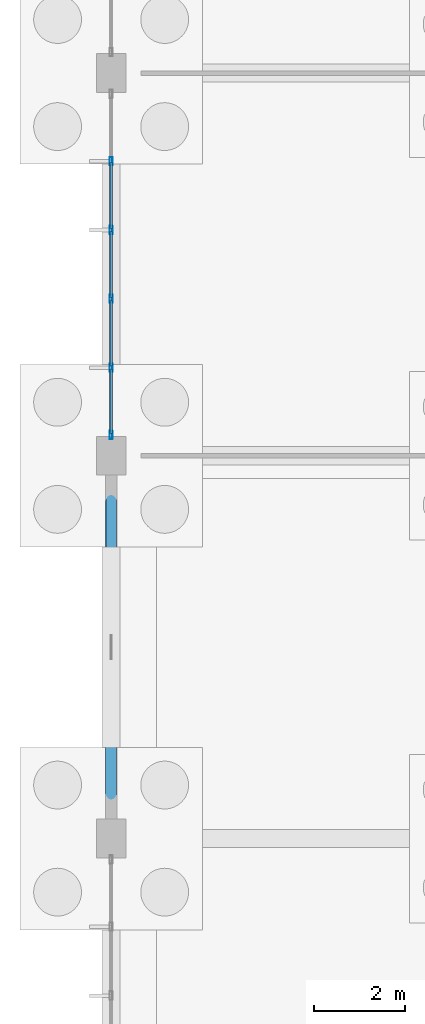
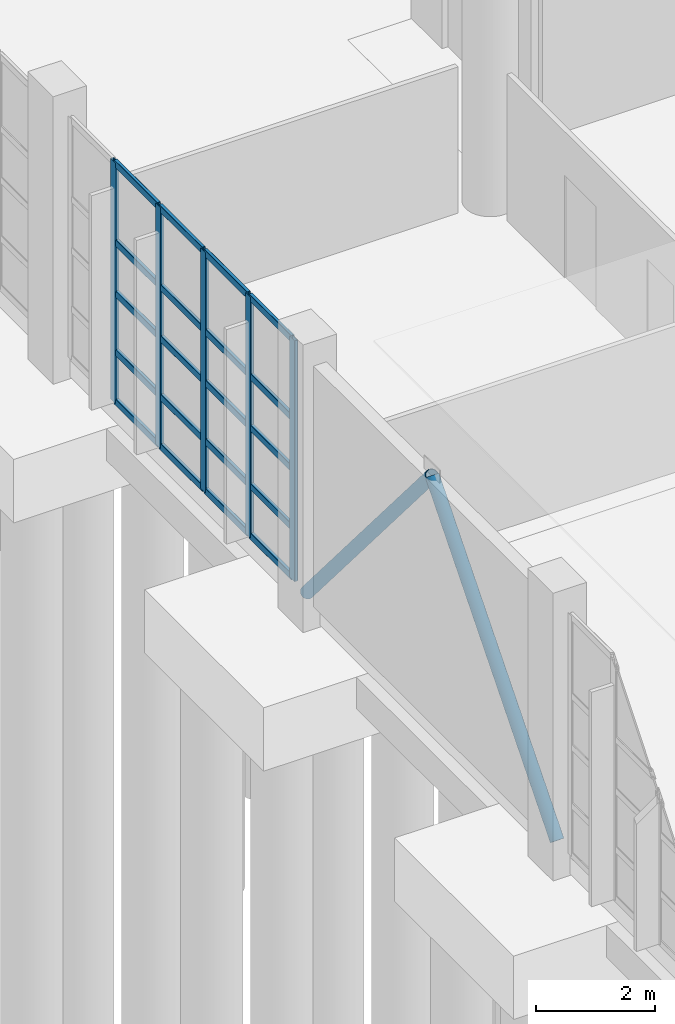
# One storey, part 19 of 83: 27 members, 1 element without a shape of its own.
"""IFC4 building model written with IfcOpenShell, lengths in metres."""

from ifc_helpers import new_model, si_unit, direction, frame, origin, origin_2d, place, context, subcontext, project, spatial, hollow_rectangle, hollow_circle, extrude, material, layer, layer_set, material_profile, profile_set, type_object, element, aggregate, save


model = new_model("IFC4")

# Units and contexts
model_context = context("Model", 3, precision=1e-05, world=origin(), true_north=direction((0.0, 1.0)))
body_context = subcontext(model_context, "Body", "Model", "MODEL_VIEW")
ifc_project = project(units=[si_unit("LENGTHUNIT", "METRE"), si_unit("AREAUNIT", "SQUARE_METRE"), si_unit("VOLUMEUNIT", "CUBIC_METRE"), si_unit("PLANEANGLEUNIT", "RADIAN"), si_unit("MASSUNIT", "GRAM", prefix="KILO"), si_unit("THERMODYNAMICTEMPERATUREUNIT", "KELVIN"), si_unit("POWERUNIT", "WATT")], contexts=[model_context])

# Site, building, storey
site_placement = place(None, origin())
site = spatial("IfcSite", under=ifc_project, at=site_placement, CompositionType="ELEMENT")
building_placement = place(site_placement, origin())
building = spatial("IfcBuilding", under=site, at=building_placement, Name="Mavoryth Pier Ferry Terminal", CompositionType="ELEMENT")
storey_placement = place(building_placement, origin())
storey = spatial("IfcBuildingStorey", under=building, at=storey_placement, Name="L00", CompositionType="ELEMENT", Elevation=0.0)

# Members
ifc_material_1 = material(Name="Steel S355J2", Category="steel")
ifc_material_profile_1 = material_profile(ifc_material_1, hollow_circle(Radius=0.122314453125, WallThickness=0.012451171875, at=origin_2d()), Name="CHS 244.5x12.5", Category="steel")
ifc_profile_set_1 = profile_set([ifc_material_profile_1], Name="Steel S355J2 - CHS 244.5x12.5")
member_type_1 = type_object("IfcMemberType", Name="Brace-Diag-CHS245", PredefinedType="BRACE", material=ifc_profile_set_1)
for number, where, z_axis, x_axis, name in (
    (1, (0.0, 30.39990234375, 0.0), (0.0, 0.647759892806, 0.761844551908), (-1.0, 0.0, 0.0), "Steel Member MB-L00-0298"),
    (2, (0.0, 38.800048828125, 0.0), (0.0, -0.64773803869, 0.761863132875), (1.0, 0.0, 0.0), "Steel Member MB-L00-0299"),
):
    element("IfcMember", number, at=place(storey_placement, frame(where, z_axis=z_axis, x_axis=x_axis)), inside=storey, type_object=member_type_1, Name=name, PredefinedType="BRACE", context=body_context, shape_type="SweptSolid", body=[
        extrude(hollow_circle(Radius=0.122314453125, WallThickness=0.012451171875, at=origin_2d()), origin(), (0.0, 0.0, 1.0), 6.484130859375),
    ])

# Curtain wall, members
ifc_material_2 = material(Name="Anodised Aluminium and Solar-Control Low-E Glass", Category="aluminium")
ifc_layer = layer(ifc_material_2, 0.179931640625, Name="Anodised Aluminium and Solar-Control Low-E Glass", Category="aluminium")
ifc_layer_set = layer_set([ifc_layer], Name="Anodised Aluminium and Solar-Control Low-E Glass - CW-Concourse-Mod1400")
curtain_wall_type = type_object("IfcCurtainWallType", Name="CW-Concourse-Mod1400", PredefinedType="USERDEFINED", material=ifc_layer_set)
curtain_wall_placement = place(storey_placement, origin())
curtain_wall = element("IfcCurtainWall", 3, at=curtain_wall_placement, inside=storey, type_object=curtain_wall_type, Name="Curtain Wall CW-0033-003", ObjectType="UNITISED CURTAIN WALL", PredefinedType="USERDEFINED")
ifc_material_3 = material(Name="Anodised Aluminium EN AW-6063", Category="aluminium")
ifc_material_profile_2 = material_profile(ifc_material_3, hollow_rectangle(XDim=0.06494140625, YDim=0.179931640625, WallThickness=0.00390625, InnerFilletRadius=0.00390625, OuterFilletRadius=0.008056640625, at=origin_2d()), Name="AL-MULL 180x65x4", Category="aluminium")
ifc_profile_set_2 = profile_set([ifc_material_profile_2], Name="Anodised Aluminium EN AW-6063 - AL-MULL 180x65x4")
member_type_2 = type_object("IfcMemberType", Name="Mullion-Alum-180x65", PredefinedType="MULLION", material=ifc_profile_set_2)
member_1_placement = place(storey_placement, frame((0.0, 45.264892578125, 0.0), z_axis=(0.0, 0.0, 1.0), x_axis=(1.0, 0.0, 0.0)))
member_1 = element("IfcMember", 4, at=member_1_placement, type_object=member_type_2, Name="CW01 mullion 2", PredefinedType="MULLION", context=body_context, shape_type="SweptSolid", body=[
    extrude(hollow_rectangle(XDim=0.06494140625, YDim=0.179931640625, WallThickness=0.00390625, InnerFilletRadius=0.00390625, OuterFilletRadius=0.008056640625, at=origin_2d()), origin(), (0.0, 0.0, 1.0), 4.93994140625),
])
member_2_placement = place(storey_placement, frame((0.0, 43.7548828125, 0.0), z_axis=(0.0, 0.0, 1.0), x_axis=(1.0, 0.0, 0.0)))
member_2 = element("IfcMember", 5, at=member_2_placement, type_object=member_type_2, Name="CW01 mullion 3", PredefinedType="MULLION", context=body_context, shape_type="SweptSolid", body=[
    extrude(hollow_rectangle(XDim=0.06494140625, YDim=0.179931640625, WallThickness=0.00390625, InnerFilletRadius=0.00390625, OuterFilletRadius=0.008056640625, at=origin_2d()), origin(), (0.0, 0.0, 1.0), 4.93994140625),
])
member_3_placement = place(storey_placement, frame((0.0, 42.2451171875, 0.0), z_axis=(0.0, 0.0, 1.0), x_axis=(1.0, 0.0, 0.0)))
member_3 = element("IfcMember", 6, at=member_3_placement, type_object=member_type_2, Name="CW01 mullion 4", PredefinedType="MULLION", context=body_context, shape_type="SweptSolid", body=[
    extrude(hollow_rectangle(XDim=0.06494140625, YDim=0.179931640625, WallThickness=0.00390625, InnerFilletRadius=0.00390625, OuterFilletRadius=0.008056640625, at=origin_2d()), origin(), (0.0, 0.0, 1.0), 4.93994140625),
])
member_4_placement = place(storey_placement, frame((0.0, 40.735107421875, 0.0), z_axis=(0.0, 0.0, 1.0), x_axis=(1.0, 0.0, 0.0)))
member_4 = element("IfcMember", 7, at=member_4_placement, type_object=member_type_2, Name="CW01 mullion 5", PredefinedType="MULLION", context=body_context, shape_type="SweptSolid", body=[
    extrude(hollow_rectangle(XDim=0.06494140625, YDim=0.179931640625, WallThickness=0.00390625, InnerFilletRadius=0.00390625, OuterFilletRadius=0.008056640625, at=origin_2d()), origin(), (0.0, 0.0, 1.0), 4.93994140625),
])
member_5_placement = place(storey_placement, frame((0.0, 39.257568359375, 0.0), z_axis=(0.0, 0.0, 1.0), x_axis=(1.0, 0.0, 0.0)))
member_5 = element("IfcMember", 8, at=member_5_placement, type_object=member_type_2, Name="CW01 mullion 6", PredefinedType="MULLION", context=body_context, shape_type="SweptSolid", body=[
    extrude(hollow_rectangle(XDim=0.06494140625, YDim=0.179931640625, WallThickness=0.00390625, InnerFilletRadius=0.00390625, OuterFilletRadius=0.008056640625, at=origin_2d()), origin(), (0.0, 0.0, 1.0), 4.93994140625),
])
ifc_material_profile_3 = material_profile(ifc_material_3, hollow_rectangle(XDim=0.06494140625, YDim=0.139892578125, WallThickness=0.00390625, InnerFilletRadius=0.00390625, OuterFilletRadius=0.008056640625, at=origin_2d()), Name="AL-TRAN 140x65x4", Category="aluminium")
ifc_profile_set_3 = profile_set([ifc_material_profile_3], Name="Anodised Aluminium EN AW-6063 - AL-TRAN 140x65x4")
member_type_3 = type_object("IfcMemberType", Name="Transom-Alum-140x65", PredefinedType="USERDEFINED", material=ifc_profile_set_3)
member_6_placement = place(storey_placement, frame((0.0, 45.232421875, 0.032470703125), z_axis=(0.0, -1.0, 0.0), x_axis=(1.0, 0.0, 0.0)))
member_6 = element("IfcMember", 9, at=member_6_placement, type_object=member_type_3, Name="CW01 transom 2.1", ObjectType="TRANSOM", PredefinedType="USERDEFINED", context=body_context, shape_type="SweptSolid", body=[
    extrude(hollow_rectangle(XDim=0.06494140625, YDim=0.139892578125, WallThickness=0.00390625, InnerFilletRadius=0.00390625, OuterFilletRadius=0.008056640625, at=origin_2d()), origin(), (0.0, 0.0, 1.0), 1.44482421875),
])
member_7_placement = place(storey_placement, frame((0.0, 45.232421875, 1.050048828125), z_axis=(0.0, -1.0, 0.0), x_axis=(1.0, 0.0, 0.0)))
member_7 = element("IfcMember", 10, at=member_7_placement, type_object=member_type_3, Name="CW01 transom 2.2", ObjectType="TRANSOM", PredefinedType="USERDEFINED", context=body_context, shape_type="SweptSolid", body=[
    extrude(hollow_rectangle(XDim=0.06494140625, YDim=0.139892578125, WallThickness=0.00390625, InnerFilletRadius=0.00390625, OuterFilletRadius=0.008056640625, at=origin_2d()), origin(), (0.0, 0.0, 1.0), 1.44482421875),
])
member_8_placement = place(storey_placement, frame((0.0, 45.232421875, 2.25), z_axis=(0.0, -1.0, 0.0), x_axis=(1.0, 0.0, 0.0)))
member_8 = element("IfcMember", 11, at=member_8_placement, type_object=member_type_3, Name="CW01 transom 2.3", ObjectType="TRANSOM", PredefinedType="USERDEFINED", context=body_context, shape_type="SweptSolid", body=[
    extrude(hollow_rectangle(XDim=0.06494140625, YDim=0.139892578125, WallThickness=0.00390625, InnerFilletRadius=0.00390625, OuterFilletRadius=0.008056640625, at=origin_2d()), origin(), (0.0, 0.0, 1.0), 1.44482421875),
])
member_9_placement = place(storey_placement, frame((0.0, 45.232421875, 3.300048828125), z_axis=(0.0, -1.0, 0.0), x_axis=(1.0, 0.0, 0.0)))
member_9 = element("IfcMember", 12, at=member_9_placement, type_object=member_type_3, Name="CW01 transom 2.4", ObjectType="TRANSOM", PredefinedType="USERDEFINED", context=body_context, shape_type="SweptSolid", body=[
    extrude(hollow_rectangle(XDim=0.06494140625, YDim=0.139892578125, WallThickness=0.00390625, InnerFilletRadius=0.00390625, OuterFilletRadius=0.008056640625, at=origin_2d()), origin(), (0.0, 0.0, 1.0), 1.44482421875),
])
member_10_placement = place(storey_placement, frame((0.0, 45.232421875, 4.907470703125), z_axis=(0.0, -1.0, 0.0), x_axis=(1.0, 0.0, 0.0)))
member_10 = element("IfcMember", 13, at=member_10_placement, type_object=member_type_3, Name="CW01 transom 2.5", ObjectType="TRANSOM", PredefinedType="USERDEFINED", context=body_context, shape_type="SweptSolid", body=[
    extrude(hollow_rectangle(XDim=0.06494140625, YDim=0.139892578125, WallThickness=0.00390625, InnerFilletRadius=0.00390625, OuterFilletRadius=0.008056640625, at=origin_2d()), origin(), (0.0, 0.0, 1.0), 1.44482421875),
])
member_11_placement = place(storey_placement, frame((0.0, 43.722412109375, 0.032470703125), z_axis=(0.0, -1.0, 0.0), x_axis=(1.0, 0.0, 0.0)))
member_11 = element("IfcMember", 14, at=member_11_placement, type_object=member_type_3, Name="CW01 transom 3.1", ObjectType="TRANSOM", PredefinedType="USERDEFINED", context=body_context, shape_type="SweptSolid", body=[
    extrude(hollow_rectangle(XDim=0.06494140625, YDim=0.139892578125, WallThickness=0.00390625, InnerFilletRadius=0.00390625, OuterFilletRadius=0.008056640625, at=origin_2d()), origin(), (0.0, 0.0, 1.0), 1.44482421875),
])
member_12_placement = place(storey_placement, frame((0.0, 43.722412109375, 1.050048828125), z_axis=(0.0, -1.0, 0.0), x_axis=(1.0, 0.0, 0.0)))
member_12 = element("IfcMember", 15, at=member_12_placement, type_object=member_type_3, Name="CW01 transom 3.2", ObjectType="TRANSOM", PredefinedType="USERDEFINED", context=body_context, shape_type="SweptSolid", body=[
    extrude(hollow_rectangle(XDim=0.06494140625, YDim=0.139892578125, WallThickness=0.00390625, InnerFilletRadius=0.00390625, OuterFilletRadius=0.008056640625, at=origin_2d()), origin(), (0.0, 0.0, 1.0), 1.44482421875),
])
member_13_placement = place(storey_placement, frame((0.0, 43.722412109375, 2.25), z_axis=(0.0, -1.0, 0.0), x_axis=(1.0, 0.0, 0.0)))
member_13 = element("IfcMember", 16, at=member_13_placement, type_object=member_type_3, Name="CW01 transom 3.3", ObjectType="TRANSOM", PredefinedType="USERDEFINED", context=body_context, shape_type="SweptSolid", body=[
    extrude(hollow_rectangle(XDim=0.06494140625, YDim=0.139892578125, WallThickness=0.00390625, InnerFilletRadius=0.00390625, OuterFilletRadius=0.008056640625, at=origin_2d()), origin(), (0.0, 0.0, 1.0), 1.44482421875),
])
member_14_placement = place(storey_placement, frame((0.0, 43.722412109375, 3.300048828125), z_axis=(0.0, -1.0, 0.0), x_axis=(1.0, 0.0, 0.0)))
member_14 = element("IfcMember", 17, at=member_14_placement, type_object=member_type_3, Name="CW01 transom 3.4", ObjectType="TRANSOM", PredefinedType="USERDEFINED", context=body_context, shape_type="SweptSolid", body=[
    extrude(hollow_rectangle(XDim=0.06494140625, YDim=0.139892578125, WallThickness=0.00390625, InnerFilletRadius=0.00390625, OuterFilletRadius=0.008056640625, at=origin_2d()), origin(), (0.0, 0.0, 1.0), 1.44482421875),
])
member_15_placement = place(storey_placement, frame((0.0, 43.722412109375, 4.907470703125), z_axis=(0.0, -1.0, 0.0), x_axis=(1.0, 0.0, 0.0)))
member_15 = element("IfcMember", 18, at=member_15_placement, type_object=member_type_3, Name="CW01 transom 3.5", ObjectType="TRANSOM", PredefinedType="USERDEFINED", context=body_context, shape_type="SweptSolid", body=[
    extrude(hollow_rectangle(XDim=0.06494140625, YDim=0.139892578125, WallThickness=0.00390625, InnerFilletRadius=0.00390625, OuterFilletRadius=0.008056640625, at=origin_2d()), origin(), (0.0, 0.0, 1.0), 1.44482421875),
])
member_16_placement = place(storey_placement, frame((0.0, 42.21240234375, 0.032470703125), z_axis=(0.0, -1.0, 0.0), x_axis=(1.0, 0.0, 0.0)))
member_16 = element("IfcMember", 19, at=member_16_placement, type_object=member_type_3, Name="CW01 transom 4.1", ObjectType="TRANSOM", PredefinedType="USERDEFINED", context=body_context, shape_type="SweptSolid", body=[
    extrude(hollow_rectangle(XDim=0.06494140625, YDim=0.139892578125, WallThickness=0.00390625, InnerFilletRadius=0.00390625, OuterFilletRadius=0.008056640625, at=origin_2d()), origin(), (0.0, 0.0, 1.0), 1.44482421875),
])
member_17_placement = place(storey_placement, frame((0.0, 42.21240234375, 1.050048828125), z_axis=(0.0, -1.0, 0.0), x_axis=(1.0, 0.0, 0.0)))
member_17 = element("IfcMember", 20, at=member_17_placement, type_object=member_type_3, Name="CW01 transom 4.2", ObjectType="TRANSOM", PredefinedType="USERDEFINED", context=body_context, shape_type="SweptSolid", body=[
    extrude(hollow_rectangle(XDim=0.06494140625, YDim=0.139892578125, WallThickness=0.00390625, InnerFilletRadius=0.00390625, OuterFilletRadius=0.008056640625, at=origin_2d()), origin(), (0.0, 0.0, 1.0), 1.44482421875),
])
member_18_placement = place(storey_placement, frame((0.0, 42.21240234375, 2.25), z_axis=(0.0, -1.0, 0.0), x_axis=(1.0, 0.0, 0.0)))
member_18 = element("IfcMember", 21, at=member_18_placement, type_object=member_type_3, Name="CW01 transom 4.3", ObjectType="TRANSOM", PredefinedType="USERDEFINED", context=body_context, shape_type="SweptSolid", body=[
    extrude(hollow_rectangle(XDim=0.06494140625, YDim=0.139892578125, WallThickness=0.00390625, InnerFilletRadius=0.00390625, OuterFilletRadius=0.008056640625, at=origin_2d()), origin(), (0.0, 0.0, 1.0), 1.44482421875),
])
member_19_placement = place(storey_placement, frame((0.0, 42.21240234375, 3.300048828125), z_axis=(0.0, -1.0, 0.0), x_axis=(1.0, 0.0, 0.0)))
member_19 = element("IfcMember", 22, at=member_19_placement, type_object=member_type_3, Name="CW01 transom 4.4", ObjectType="TRANSOM", PredefinedType="USERDEFINED", context=body_context, shape_type="SweptSolid", body=[
    extrude(hollow_rectangle(XDim=0.06494140625, YDim=0.139892578125, WallThickness=0.00390625, InnerFilletRadius=0.00390625, OuterFilletRadius=0.008056640625, at=origin_2d()), origin(), (0.0, 0.0, 1.0), 1.44482421875),
])
member_20_placement = place(storey_placement, frame((0.0, 42.21240234375, 4.907470703125), z_axis=(0.0, -1.0, 0.0), x_axis=(1.0, 0.0, 0.0)))
member_20 = element("IfcMember", 23, at=member_20_placement, type_object=member_type_3, Name="CW01 transom 4.5", ObjectType="TRANSOM", PredefinedType="USERDEFINED", context=body_context, shape_type="SweptSolid", body=[
    extrude(hollow_rectangle(XDim=0.06494140625, YDim=0.139892578125, WallThickness=0.00390625, InnerFilletRadius=0.00390625, OuterFilletRadius=0.008056640625, at=origin_2d()), origin(), (0.0, 0.0, 1.0), 1.44482421875),
])
member_21_placement = place(storey_placement, frame((0.0, 40.702392578125, 0.032470703125), z_axis=(0.0, -1.0, 0.0), x_axis=(1.0, 0.0, 0.0)))
member_21 = element("IfcMember", 24, at=member_21_placement, type_object=member_type_3, Name="CW01 transom 5.1", ObjectType="TRANSOM", PredefinedType="USERDEFINED", context=body_context, shape_type="SweptSolid", body=[
    extrude(hollow_rectangle(XDim=0.06494140625, YDim=0.139892578125, WallThickness=0.00390625, InnerFilletRadius=0.00390625, OuterFilletRadius=0.008056640625, at=origin_2d()), origin(), (0.0, 0.0, 1.0), 1.412353515625),
])
member_22_placement = place(storey_placement, frame((0.0, 40.702392578125, 1.050048828125), z_axis=(0.0, -1.0, 0.0), x_axis=(1.0, 0.0, 0.0)))
member_22 = element("IfcMember", 25, at=member_22_placement, type_object=member_type_3, Name="CW01 transom 5.2", ObjectType="TRANSOM", PredefinedType="USERDEFINED", context=body_context, shape_type="SweptSolid", body=[
    extrude(hollow_rectangle(XDim=0.06494140625, YDim=0.139892578125, WallThickness=0.00390625, InnerFilletRadius=0.00390625, OuterFilletRadius=0.008056640625, at=origin_2d()), origin(), (0.0, 0.0, 1.0), 1.412353515625),
])
member_23_placement = place(storey_placement, frame((0.0, 40.702392578125, 2.25), z_axis=(0.0, -1.0, 0.0), x_axis=(1.0, 0.0, 0.0)))
member_23 = element("IfcMember", 26, at=member_23_placement, type_object=member_type_3, Name="CW01 transom 5.3", ObjectType="TRANSOM", PredefinedType="USERDEFINED", context=body_context, shape_type="SweptSolid", body=[
    extrude(hollow_rectangle(XDim=0.06494140625, YDim=0.139892578125, WallThickness=0.00390625, InnerFilletRadius=0.00390625, OuterFilletRadius=0.008056640625, at=origin_2d()), origin(), (0.0, 0.0, 1.0), 1.412353515625),
])
member_24_placement = place(storey_placement, frame((0.0, 40.702392578125, 3.300048828125), z_axis=(0.0, -1.0, 0.0), x_axis=(1.0, 0.0, 0.0)))
member_24 = element("IfcMember", 27, at=member_24_placement, type_object=member_type_3, Name="CW01 transom 5.4", ObjectType="TRANSOM", PredefinedType="USERDEFINED", context=body_context, shape_type="SweptSolid", body=[
    extrude(hollow_rectangle(XDim=0.06494140625, YDim=0.139892578125, WallThickness=0.00390625, InnerFilletRadius=0.00390625, OuterFilletRadius=0.008056640625, at=origin_2d()), origin(), (0.0, 0.0, 1.0), 1.412353515625),
])
member_25_placement = place(storey_placement, frame((0.0, 40.702392578125, 4.907470703125), z_axis=(0.0, -1.0, 0.0), x_axis=(1.0, 0.0, 0.0)))
member_25 = element("IfcMember", 28, at=member_25_placement, type_object=member_type_3, Name="CW01 transom 5.5", ObjectType="TRANSOM", PredefinedType="USERDEFINED", context=body_context, shape_type="SweptSolid", body=[
    extrude(hollow_rectangle(XDim=0.06494140625, YDim=0.139892578125, WallThickness=0.00390625, InnerFilletRadius=0.00390625, OuterFilletRadius=0.008056640625, at=origin_2d()), origin(), (0.0, 0.0, 1.0), 1.412353515625),
])
aggregate(curtain_wall, [member_1, member_2, member_3, member_4, member_5, member_6, member_7, member_8, member_9, member_10, member_11, member_12, member_13, member_14, member_15, member_16, member_17, member_18, member_19, member_20, member_21, member_22, member_23, member_24, member_25])

save(model, "model.ifc")
